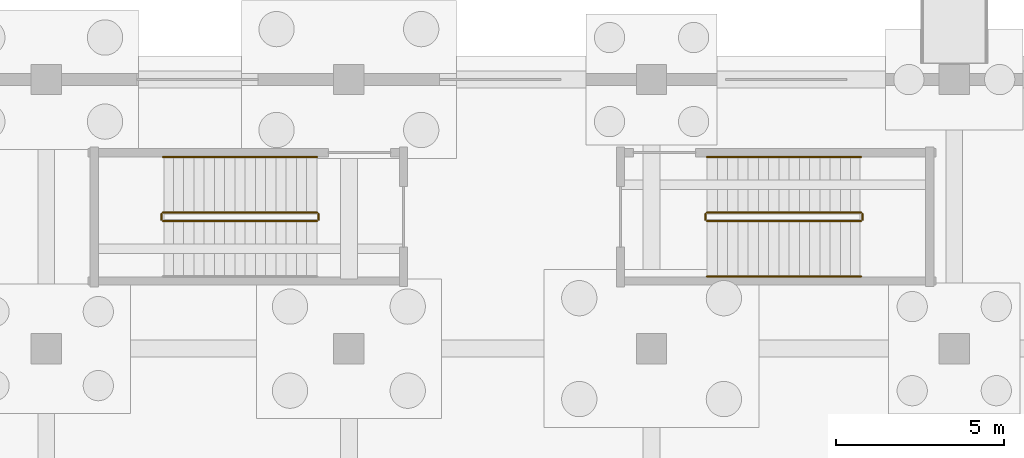
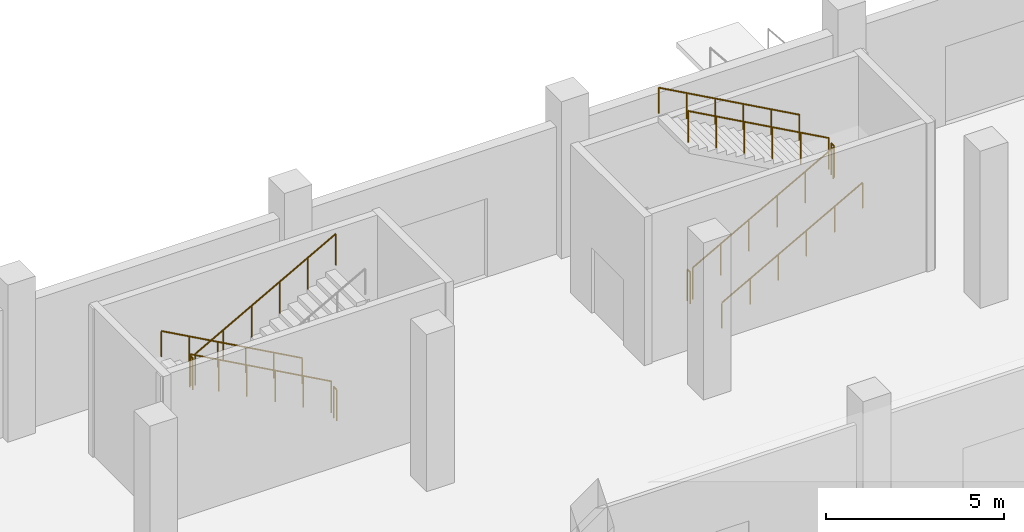
# One storey, part 87 of 103: 11 railings.
"""IFC4 building model written with IfcOpenShell, lengths in metres."""

from ifc_helpers import new_model, si_unit, direction, frame, origin, origin_2d, place, context, subcontext, project, spatial, circle, extrude, material, type_object, element, save


model = new_model("IFC4")

# Units and contexts
model_context = context("Model", 3, precision=1e-05, world=origin(), true_north=direction((0.0, 1.0)))
body_context = subcontext(model_context, "Body", "Model", "MODEL_VIEW")
ifc_project = project(units=[si_unit("LENGTHUNIT", "METRE"), si_unit("AREAUNIT", "SQUARE_METRE"), si_unit("VOLUMEUNIT", "CUBIC_METRE"), si_unit("PLANEANGLEUNIT", "RADIAN"), si_unit("MASSUNIT", "GRAM", prefix="KILO")], contexts=[model_context])

# Site, building, storey
site_placement = place(None, origin())
site = spatial("IfcSite", under=ifc_project, at=site_placement, CompositionType="ELEMENT")
building_placement = place(site_placement, origin())
building = spatial("IfcBuilding", under=site, at=building_placement, Name="Zevraka Park Crest Stadium", CompositionType="ELEMENT")
storey_placement = place(building_placement, origin())
storey = spatial("IfcBuildingStorey", under=building, at=storey_placement, Name="L00", CompositionType="ELEMENT", Elevation=0.0)

# Railings
ifc_material_1 = material(Name="Powder-coated tubular steel stairwell guard", Category="steel")
railing_type_1 = type_object("IfcRailingType", Name="GR03", PredefinedType="GUARDRAIL", material=ifc_material_1)
railing_1_placement = place(storey_placement, frame((44.050048828125, 180.050048828125, 0.168701171875)))
element("IfcRailing", 1, at=railing_1_placement, inside=storey, type_object=railing_type_1, Name="L00 ST49 stair guard 1", PredefinedType="GUARDRAIL", context=body_context, shape_type="SweptSolid", body=[
    extrude(circle(Radius=0.02392578125, at=origin_2d()), frame((0.0, 0.0, 1.076171875), z_axis=(-0.874999533545, 0.0, 0.484123761342), x_axis=(0.0, -1.0, 0.0)), (0.0, 0.0, 1.0), 5.228515625),
    extrude(circle(Radius=0.02099609375, at=origin_2d()), origin(), (0.0, 0.0, 1.0), 1.052001953125),
    extrude(circle(Radius=0.02099609375, at=origin_2d()), frame((-0.9150390625, 0.0, 0.50634765625)), (0.0, 0.0, 1.0), 1.052001953125),
    extrude(circle(Radius=0.02099609375, at=origin_2d()), frame((-1.830078125, 0.0, 1.012451171875)), (0.0, 0.0, 1.0), 1.052001953125),
    extrude(circle(Radius=0.02099609375, at=origin_2d()), frame((-2.744873046875, 0.0, 1.518798828125)), (0.0, 0.0, 1.0), 1.052001953125),
    extrude(circle(Radius=0.02099609375, at=origin_2d()), frame((-3.659912109375, 0.0, 2.02490234375)), (0.0, 0.0, 1.0), 1.052001953125),
    extrude(circle(Radius=0.02099609375, at=origin_2d()), frame((-4.574951171875, 0.0, 2.53125)), (0.0, 0.0, 1.0), 1.052001953125),
])
railing_2_placement = place(storey_placement, frame((39.425048828125, 180.0, 2.699951171875)))
element("IfcRailing", 2, at=railing_2_placement, inside=storey, type_object=railing_type_1, Name="L00 ST49 stair guard 2", PredefinedType="GUARDRAIL", context=body_context, shape_type="SweptSolid", body=[
    extrude(circle(Radius=0.02392578125, at=origin_2d()), frame((0.0, 0.0, 1.076171875), z_axis=(0.0, -1.0, 0.0), x_axis=(1.0, 0.0, 0.0)), (0.0, 0.0, 1.0), 0.159912109375),
    extrude(circle(Radius=0.02099609375, at=origin_2d()), origin(), (0.0, 0.0, 1.0), 1.052001953125),
    extrude(circle(Radius=0.02099609375, at=origin_2d()), frame((0.0, -0.159912109375, 0.0)), (0.0, 0.0, 1.0), 1.052001953125),
])
railing_3_placement = place(storey_placement, frame((39.47509765625, 179.7900390625, 2.86865234375)))
element("IfcRailing", 3, at=railing_3_placement, inside=storey, type_object=railing_type_1, Name="L00 ST49 stair guard 3", PredefinedType="GUARDRAIL", context=body_context, shape_type="SweptSolid", body=[
    extrude(circle(Radius=0.02392578125, at=origin_2d()), frame((0.0, 0.0, 1.076171875), z_axis=(0.874999533545, 0.0, 0.484123761342), x_axis=(0.0, 1.0, 0.0)), (0.0, 0.0, 1.0), 5.228515625),
    extrude(circle(Radius=0.02099609375, at=origin_2d()), origin(), (0.0, 0.0, 1.0), 1.052001953125),
    extrude(circle(Radius=0.02099609375, at=origin_2d()), frame((0.9150390625, 0.0, 0.50634765625)), (0.0, 0.0, 1.0), 1.052001953125),
    extrude(circle(Radius=0.02099609375, at=origin_2d()), frame((1.830078125, 0.0, 1.012451171875)), (0.0, 0.0, 1.0), 1.052001953125),
    extrude(circle(Radius=0.02099609375, at=origin_2d()), frame((2.744873046875, 0.0, 1.518798828125)), (0.0, 0.0, 1.0), 1.052001953125),
    extrude(circle(Radius=0.02099609375, at=origin_2d()), frame((3.659912109375, 0.0, 2.02490234375)), (0.0, 0.0, 1.0), 1.052001953125),
    extrude(circle(Radius=0.02099609375, at=origin_2d()), frame((4.574951171875, 0.0, 2.53125)), (0.0, 0.0, 1.0), 1.052001953125),
])
railing_4_placement = place(storey_placement, frame((44.10009765625, 180.0, 0.0)))
element("IfcRailing", 4, at=railing_4_placement, inside=storey, type_object=railing_type_1, Name="L00 ST49 stair guard 4", PredefinedType="GUARDRAIL", context=body_context, shape_type="SweptSolid", body=[
    extrude(circle(Radius=0.02392578125, at=origin_2d()), frame((0.0, 0.0, 1.076171875), z_axis=(0.0, -1.0, 0.0), x_axis=(1.0, 0.0, 0.0)), (0.0, 0.0, 1.0), 0.159912109375),
    extrude(circle(Radius=0.02099609375, at=origin_2d()), origin(), (0.0, 0.0, 1.0), 1.052001953125),
    extrude(circle(Radius=0.02099609375, at=origin_2d()), frame((0.0, -0.159912109375, 0.0)), (0.0, 0.0, 1.0), 1.052001953125),
])
railing_5_placement = place(storey_placement, frame((55.64990234375, 179.7900390625, 0.168701171875)))
element("IfcRailing", 5, at=railing_5_placement, inside=storey, type_object=railing_type_1, Name="L00 ST50 stair guard 1", PredefinedType="GUARDRAIL", context=body_context, shape_type="SweptSolid", body=[
    extrude(circle(Radius=0.02392578125, at=origin_2d()), frame((0.0, 0.0, 1.076171875), z_axis=(0.875010476827, 0.0, 0.484103982057), x_axis=(0.0, 1.0, 0.0)), (0.0, 0.0, 1.0), 5.228759765625),
    extrude(circle(Radius=0.02099609375, at=origin_2d()), origin(), (0.0, 0.0, 1.0), 1.052001953125),
    extrude(circle(Radius=0.02099609375, at=origin_2d()), frame((0.9150390625, 0.0, 0.50634765625)), (0.0, 0.0, 1.0), 1.052001953125),
    extrude(circle(Radius=0.02099609375, at=origin_2d()), frame((1.830078125, 0.0, 1.012451171875)), (0.0, 0.0, 1.0), 1.052001953125),
    extrude(circle(Radius=0.02099609375, at=origin_2d()), frame((2.7451171875, 0.0, 1.518798828125)), (0.0, 0.0, 1.0), 1.052001953125),
    extrude(circle(Radius=0.02099609375, at=origin_2d()), frame((3.66015625, 0.0, 2.02490234375)), (0.0, 0.0, 1.0), 1.052001953125),
    extrude(circle(Radius=0.02099609375, at=origin_2d()), frame((4.5751953125, 0.0, 2.53125)), (0.0, 0.0, 1.0), 1.052001953125),
])
railing_6_placement = place(storey_placement, frame((60.27490234375, 179.840087890625, 2.699951171875)))
element("IfcRailing", 6, at=railing_6_placement, inside=storey, type_object=railing_type_1, Name="L00 ST50 stair guard 2", PredefinedType="GUARDRAIL", context=body_context, shape_type="SweptSolid", body=[
    extrude(circle(Radius=0.02392578125, at=origin_2d()), frame((0.0, 0.0, 1.076171875), z_axis=(0.0, 1.0, 0.0), x_axis=(-1.0, 0.0, 0.0)), (0.0, 0.0, 1.0), 0.159912109375),
    extrude(circle(Radius=0.02099609375, at=origin_2d()), origin(), (0.0, 0.0, 1.0), 1.052001953125),
    extrude(circle(Radius=0.02099609375, at=origin_2d()), frame((0.0, 0.159912109375, 0.0)), (0.0, 0.0, 1.0), 1.052001953125),
])
railing_7_placement = place(storey_placement, frame((60.22509765625, 180.050048828125, 2.86865234375)))
element("IfcRailing", 7, at=railing_7_placement, inside=storey, type_object=railing_type_1, Name="L00 ST50 stair guard 3", PredefinedType="GUARDRAIL", context=body_context, shape_type="SweptSolid", body=[
    extrude(circle(Radius=0.02392578125, at=origin_2d()), frame((0.0, 0.0, 1.076171875), z_axis=(-0.875010476827, 0.0, 0.484103982057), x_axis=(0.0, -1.0, 0.0)), (0.0, 0.0, 1.0), 5.228759765625),
    extrude(circle(Radius=0.02099609375, at=origin_2d()), origin(), (0.0, 0.0, 1.0), 1.052001953125),
    extrude(circle(Radius=0.02099609375, at=origin_2d()), frame((-0.9150390625, 0.0, 0.50634765625)), (0.0, 0.0, 1.0), 1.052001953125),
    extrude(circle(Radius=0.02099609375, at=origin_2d()), frame((-1.830078125, 0.0, 1.012451171875)), (0.0, 0.0, 1.0), 1.052001953125),
    extrude(circle(Radius=0.02099609375, at=origin_2d()), frame((-2.7451171875, 0.0, 1.518798828125)), (0.0, 0.0, 1.0), 1.052001953125),
    extrude(circle(Radius=0.02099609375, at=origin_2d()), frame((-3.66015625, 0.0, 2.02490234375)), (0.0, 0.0, 1.0), 1.052001953125),
    extrude(circle(Radius=0.02099609375, at=origin_2d()), frame((-4.5751953125, 0.0, 2.53125)), (0.0, 0.0, 1.0), 1.052001953125),
])
railing_8_placement = place(storey_placement, frame((55.60009765625, 179.840087890625, 0.0)))
element("IfcRailing", 8, at=railing_8_placement, inside=storey, type_object=railing_type_1, Name="L00 ST50 stair guard 4", PredefinedType="GUARDRAIL", context=body_context, shape_type="SweptSolid", body=[
    extrude(circle(Radius=0.02392578125, at=origin_2d()), frame((0.0, 0.0, 1.076171875), z_axis=(0.0, 1.0, 0.0), x_axis=(-1.0, 0.0, 0.0)), (0.0, 0.0, 1.0), 0.159912109375),
    extrude(circle(Radius=0.02099609375, at=origin_2d()), origin(), (0.0, 0.0, 1.0), 1.052001953125),
    extrude(circle(Radius=0.02099609375, at=origin_2d()), frame((0.0, 0.159912109375, 0.0)), (0.0, 0.0, 1.0), 1.052001953125),
])
ifc_material_2 = material(Name="Brushed stainless steel continuous handrail", Category="steel")
railing_type_2 = type_object("IfcRailingType", Name="HR01", PredefinedType="HANDRAIL", material=ifc_material_2)
railing_9_placement = place(storey_placement, frame((44.050048828125, 181.699951171875, 0.168701171875)))
element("IfcRailing", 9, at=railing_9_placement, inside=storey, type_object=railing_type_2, Name="L00 ST49 stair handrail 1", PredefinedType="HANDRAIL", context=body_context, shape_type="SweptSolid", body=[
    extrude(circle(Radius=0.02392578125, at=origin_2d()), frame((0.0, 0.0, 0.8759765625), z_axis=(-0.874999533545, 0.0, 0.484123761342), x_axis=(0.0, -1.0, 0.0)), (0.0, 0.0, 1.0), 5.228515625),
    extrude(circle(Radius=0.02099609375, at=origin_2d()), origin(), (0.0, 0.0, 1.0), 0.851806640625),
    extrude(circle(Radius=0.02099609375, at=origin_2d()), frame((-0.9150390625, 0.0, 0.50634765625)), (0.0, 0.0, 1.0), 0.851806640625),
    extrude(circle(Radius=0.02099609375, at=origin_2d()), frame((-1.830078125, 0.0, 1.012451171875)), (0.0, 0.0, 1.0), 0.851806640625),
    extrude(circle(Radius=0.02099609375, at=origin_2d()), frame((-2.744873046875, 0.0, 1.518798828125)), (0.0, 0.0, 1.0), 0.851806640625),
    extrude(circle(Radius=0.02099609375, at=origin_2d()), frame((-3.659912109375, 0.0, 2.02490234375)), (0.0, 0.0, 1.0), 0.851806640625),
    extrude(circle(Radius=0.02099609375, at=origin_2d()), frame((-4.574951171875, 0.0, 2.53125)), (0.0, 0.0, 1.0), 0.851806640625),
])
railing_10_placement = place(storey_placement, frame((55.64990234375, 178.139892578125, 0.168701171875)))
element("IfcRailing", 10, at=railing_10_placement, inside=storey, type_object=railing_type_2, Name="L00 ST50 stair handrail 1", PredefinedType="HANDRAIL", context=body_context, shape_type="SweptSolid", body=[
    extrude(circle(Radius=0.02392578125, at=origin_2d()), frame((0.0, 0.0, 0.8759765625), z_axis=(0.875010476827, 0.0, 0.484103982057), x_axis=(0.0, 1.0, 0.0)), (0.0, 0.0, 1.0), 5.228759765625),
    extrude(circle(Radius=0.02099609375, at=origin_2d()), origin(), (0.0, 0.0, 1.0), 0.851806640625),
    extrude(circle(Radius=0.02099609375, at=origin_2d()), frame((0.9150390625, 0.0, 0.50634765625)), (0.0, 0.0, 1.0), 0.851806640625),
    extrude(circle(Radius=0.02099609375, at=origin_2d()), frame((1.830078125, 0.0, 1.012451171875)), (0.0, 0.0, 1.0), 0.851806640625),
    extrude(circle(Radius=0.02099609375, at=origin_2d()), frame((2.7451171875, 0.0, 1.518798828125)), (0.0, 0.0, 1.0), 0.851806640625),
    extrude(circle(Radius=0.02099609375, at=origin_2d()), frame((3.66015625, 0.0, 2.02490234375)), (0.0, 0.0, 1.0), 0.851806640625),
    extrude(circle(Radius=0.02099609375, at=origin_2d()), frame((4.5751953125, 0.0, 2.53125)), (0.0, 0.0, 1.0), 0.851806640625),
])
railing_11_placement = place(storey_placement, frame((60.22509765625, 181.699951171875, 2.86865234375)))
element("IfcRailing", 11, at=railing_11_placement, inside=storey, type_object=railing_type_2, Name="L00 ST50 stair handrail 2", PredefinedType="HANDRAIL", context=body_context, shape_type="SweptSolid", body=[
    extrude(circle(Radius=0.02392578125, at=origin_2d()), frame((0.0, 0.0, 0.8759765625), z_axis=(-0.875010476827, 0.0, 0.484103982057), x_axis=(0.0, -1.0, 0.0)), (0.0, 0.0, 1.0), 5.228759765625),
    extrude(circle(Radius=0.02099609375, at=origin_2d()), origin(), (0.0, 0.0, 1.0), 0.851806640625),
    extrude(circle(Radius=0.02099609375, at=origin_2d()), frame((-0.9150390625, 0.0, 0.50634765625)), (0.0, 0.0, 1.0), 0.851806640625),
    extrude(circle(Radius=0.02099609375, at=origin_2d()), frame((-1.830078125, 0.0, 1.012451171875)), (0.0, 0.0, 1.0), 0.851806640625),
    extrude(circle(Radius=0.02099609375, at=origin_2d()), frame((-2.7451171875, 0.0, 1.518798828125)), (0.0, 0.0, 1.0), 0.851806640625),
    extrude(circle(Radius=0.02099609375, at=origin_2d()), frame((-3.66015625, 0.0, 2.02490234375)), (0.0, 0.0, 1.0), 0.851806640625),
    extrude(circle(Radius=0.02099609375, at=origin_2d()), frame((-4.5751953125, 0.0, 2.53125)), (0.0, 0.0, 1.0), 0.851806640625),
])

save(model, "model.ifc")
